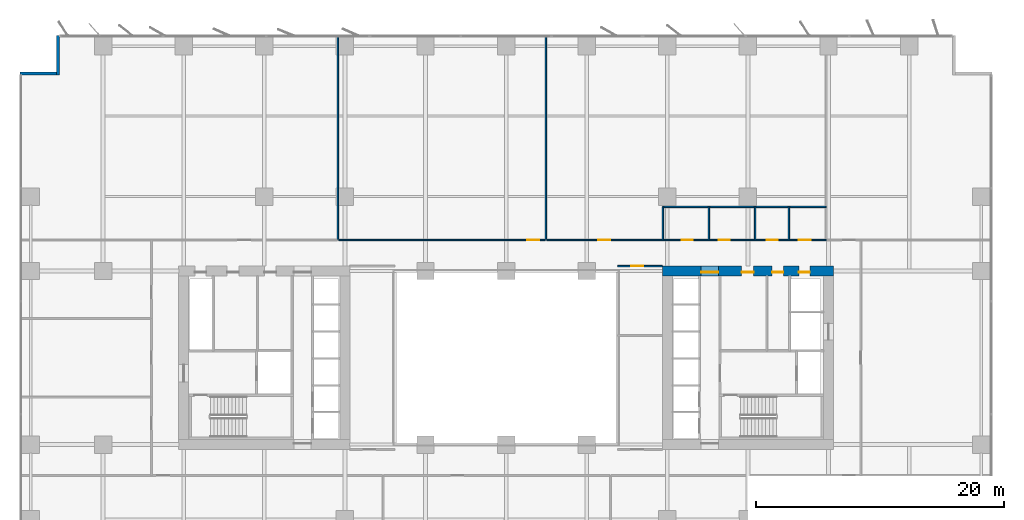
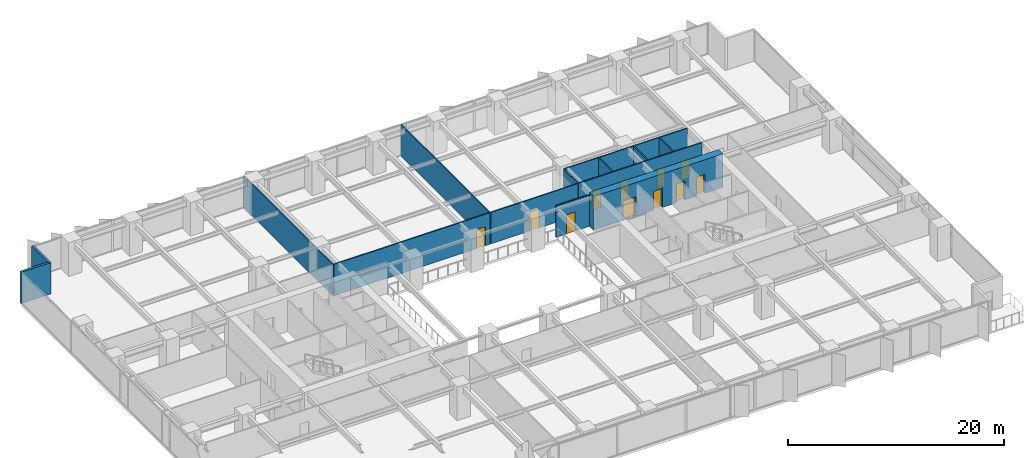
# One storey, part 15 of 20: 14 walls, 11 doors, 11 openings.
"""IFC4 building model written with IfcOpenShell, lengths in metres."""

import ifcopenshell
import ifcopenshell.guid

model = None  # the IFC model being written
_history = None  # IfcOwnerHistory: only IFC2X3 demands one
_inside = {}  # id of a spatial element -> (the spatial element, [elements in it])
_under = {}  # id of a project, library or spatial element -> (it, [spatial elements below it])
_declared = {}  # id of a project -> (the project, [libraries it declares])
_typed = {}  # id of a type object -> (the type object, [elements of that type])
_made_of = {}  # id of a material, layer set ... -> (it, [elements and type objects made of it])


def new_model(schema):
    """Start an empty IFC model of exactly this schema.

    Asked for "IFC4X3", IfcOpenShell would pick the latest addendum, in which some entities
    have other attributes; the version numbers below select the first issue.
    IFC2X3 requires an IfcOwnerHistory on every rooted entity: one is made here for all.
    """
    global model, _history
    if schema == "IFC4X3":
        model = ifcopenshell.file(schema_version=(4, 3, 0, 0))
    else:
        model = ifcopenshell.file(schema=schema)
    _inside.clear()
    _under.clear()
    _declared.clear()
    _typed.clear()
    _made_of.clear()
    _history = None
    if model.schema == "IFC2X3":
        org = make("IfcOrganization", Name="unknown")
        user = make(
            "IfcPersonAndOrganization",
            ThePerson=make("IfcPerson", FamilyName="unknown"),
            TheOrganization=org,
        )
        app = make(
            "IfcApplication",
            ApplicationDeveloper=org,
            Version="unknown",
            ApplicationFullName="unknown",
            ApplicationIdentifier="unknown",
        )
        _history = make(
            "IfcOwnerHistory",
            OwningUser=user,
            OwningApplication=app,
            ChangeAction="ADDED",
            CreationDate=0,
        )
    return model


def make(cls, **values):
    """One entity of the class cls with the attributes given. An attribute that is None is left unset."""
    return model.create_entity(
        cls, **{name: value for name, value in values.items() if value is not None}
    )


def rooted(cls, **values):
    """An entity with a GlobalId (a new one), such as an element, a storey or a relation."""
    return make(cls, GlobalId=ifcopenshell.guid.new(), OwnerHistory=_history, **values)


def si_unit(unit_type, name, prefix=None):
    """IfcSIUnit, for example si_unit("LENGTHUNIT", "METRE", prefix="MILLI")."""
    return make("IfcSIUnit", UnitType=unit_type, Prefix=prefix, Name=name)


def assignment(units):
    """IfcUnitAssignment: the units of a project."""
    return None if units is None else make("IfcUnitAssignment", Units=units)


def point(xyz):
    """IfcCartesianPoint."""
    return None if xyz is None else make("IfcCartesianPoint", Coordinates=xyz)


def direction(xyz):
    """IfcDirection."""
    return None if xyz is None else make("IfcDirection", DirectionRatios=xyz)


def frame(location, z_axis=None, x_axis=None):
    """IfcAxis2Placement3D, a coordinate frame: its origin and axes. An axis left out is left unset."""
    return make(
        "IfcAxis2Placement3D",
        Location=point(location),
        Axis=direction(z_axis),
        RefDirection=direction(x_axis),
    )


def frame_2d(location, x_axis=None):
    """IfcAxis2Placement2D, a coordinate frame in the plane: its origin and x axis."""
    return make(
        "IfcAxis2Placement2D", Location=point(location), RefDirection=direction(x_axis)
    )


def origin():
    """The frame at (0, 0, 0) with its axes left unset."""
    return frame((0.0, 0.0, 0.0))


def place(relative_to, where):
    """IfcLocalPlacement: puts the frame where relative to a parent placement (None: the world)."""
    return make(
        "IfcLocalPlacement", PlacementRelTo=relative_to, RelativePlacement=where
    )


def context(
    kind, dimensions, precision=None, world=None, true_north=None, identifier=None
):
    """IfcGeometricRepresentationContext, for example the 3D "Model" context."""
    return make(
        "IfcGeometricRepresentationContext",
        ContextIdentifier=identifier,
        ContextType=kind,
        CoordinateSpaceDimension=dimensions,
        Precision=precision,
        WorldCoordinateSystem=world,
        TrueNorth=true_north,
    )


def subcontext(parent, identifier, kind, view, scale=None):
    """IfcGeometricRepresentationSubContext, for example "Body" below "Model"."""
    return make(
        "IfcGeometricRepresentationSubContext",
        ContextIdentifier=identifier,
        ContextType=kind,
        ParentContext=parent,
        TargetScale=scale,
        TargetView=view,
    )


def project(units=None, contexts=None):
    """IfcProject with its units and contexts."""
    return rooted(
        "IfcProject",
        Name="project",
        RepresentationContexts=contexts,
        UnitsInContext=assignment(units),
    )


def spatial(cls, under=None, at=None, **own):
    """A site, building, storey or space (cls), placed at a placement, below another one or the project."""
    s = rooted(cls, ObjectPlacement=at, **own)
    if under is not None:
        _under.setdefault(under.id(), (under, []))[1].append(s)
    return s


def profile(cls, at=None, kind="AREA", **sizes):
    """A parametric profile (cls). Its sizes go by their IFC names, for example OverallWidth=200.0."""
    return make(cls, ProfileType=kind, Position=at, **sizes)


def rectangle(**sizes):
    """IfcRectangleProfileDef."""
    return profile("IfcRectangleProfileDef", **sizes)


def extrude(swept, where, along, depth):
    """IfcExtrudedAreaSolid: the profile swept, set in the frame where, extruded along a direction by depth."""
    return make(
        "IfcExtrudedAreaSolid",
        SweptArea=swept,
        Position=where,
        ExtrudedDirection=direction(along),
        Depth=depth,
    )


def shape(context_of_items, identifier, shape_type, items):
    """IfcShapeRepresentation: the items that make up one representation, for example the "Body"."""
    return make(
        "IfcShapeRepresentation",
        ContextOfItems=context_of_items,
        RepresentationIdentifier=identifier,
        RepresentationType=shape_type,
        Items=items,
    )


def material(Name=None, Category=None):
    """IfcMaterial."""
    return make("IfcMaterial", Name=Name, Category=Category)


def layer(
    of_material, thickness, ventilated=None, Name=None, Category=None, Priority=None
):
    """IfcMaterialLayer: one layer of a wall or slab, of a material (None: an air gap)."""
    return make(
        "IfcMaterialLayer",
        Material=of_material,
        LayerThickness=thickness,
        IsVentilated=ventilated,
        Name=Name,
        Category=Category,
        Priority=Priority,
    )


def layer_set(layers, Name=None):
    """IfcMaterialLayerSet."""
    return make("IfcMaterialLayerSet", MaterialLayers=layers, LayerSetName=Name)


def made_of(thing, what):
    """Note that an element or type object is made of a material, layer set ...; save() writes the relation."""
    if what is not None:
        _made_of.setdefault(what.id(), (what, []))[1].append(thing)
    return thing


def type_object(cls, material=None, **own):
    """A type object (cls), such as IfcWallType, which elements share."""
    return made_of(rooted(cls, **own), material)


def element(
    cls,
    number,
    at=None,
    inside=None,
    cuts=None,
    type_object=None,
    material=None,
    context=None,
    identifier="Body",
    shape_type=None,
    held_by="IfcProductDefinitionShape",
    body=None,
    shapes=None,
    **own,
):
    """One element of the class cls, such as IfcWall. Its Tag is "e" and its number.

    at: its placement. inside: the storey or other place that contains it. cuts: it is an
    opening in that element (IfcRelVoidsElement). A single representation is given by context,
    identifier, shape_type and body (its items); several are given by shapes. held_by: the class
    of the entity that holds the representations. save() writes the other relations.
    """
    e = rooted(cls, Tag="e%d" % number, ObjectPlacement=at, **own)
    if body is not None:
        shapes = [shape(context, identifier, shape_type, body)]
    if shapes is not None:
        e.Representation = make(held_by, Representations=shapes)
    if inside is not None:
        _inside.setdefault(inside.id(), (inside, []))[1].append(e)
    if cuts is not None:
        rooted(
            "IfcRelVoidsElement", RelatingBuildingElement=cuts, RelatedOpeningElement=e
        )
    if type_object is not None:
        _typed.setdefault(type_object.id(), (type_object, []))[1].append(e)
    return made_of(e, material)


def fill(opening, filler):
    """IfcRelFillsElement: the door or window that sits in an opening."""
    return rooted(
        "IfcRelFillsElement",
        RelatingOpeningElement=opening,
        RelatedBuildingElement=filler,
    )


def aggregate(whole, parts):
    """IfcRelAggregates: a whole, such as a stair, and the parts it consists of."""
    return rooted("IfcRelAggregates", RelatingObject=whole, RelatedObjects=parts)


def save(model, path):
    """Write the relations noted so far, then the file.

    IfcRelAggregates (storeys below a building ...), IfcRelContainedInSpatialStructure (elements
    in a storey), IfcRelDefinesByType, IfcRelAssociatesMaterial and IfcRelDeclares: one each for
    every whole, place, type object, material and project.
    """
    for whole, parts in _under.values():
        aggregate(whole, parts)
    for where, things in _inside.values():
        rooted(
            "IfcRelContainedInSpatialStructure",
            RelatedElements=things,
            RelatingStructure=where,
        )
    for kind, things in _typed.values():
        rooted("IfcRelDefinesByType", RelatedObjects=things, RelatingType=kind)
    for what, things in _made_of.values():
        rooted("IfcRelAssociatesMaterial", RelatedObjects=things, RelatingMaterial=what)
    for by, libraries in _declared.values():
        rooted("IfcRelDeclares", RelatingContext=by, RelatedDefinitions=libraries)
    model.write(path)


model = new_model("IFC4")

# Units and contexts
model_context = context("Model", 3, precision=1e-05, world=origin(), true_north=direction((0.0, 1.0)))
body_context = subcontext(model_context, "Body", "Model", "MODEL_VIEW")
ifc_project = project(units=[si_unit("LENGTHUNIT", "METRE"), si_unit("AREAUNIT", "SQUARE_METRE"), si_unit("VOLUMEUNIT", "CUBIC_METRE"), si_unit("PLANEANGLEUNIT", "RADIAN"), si_unit("MASSUNIT", "GRAM", prefix="KILO")], contexts=[model_context])

# Site, building, storey
site_placement = place(None, origin())
site = spatial("IfcSite", under=ifc_project, at=site_placement, CompositionType="ELEMENT")
building_placement = place(site_placement, origin())
building = spatial("IfcBuilding", under=site, at=building_placement, Name="Putna Gate Headquarters", CompositionType="ELEMENT")
storey_placement = place(building_placement, frame((0.0, 0.0, 50.60009765625)))
storey = spatial("IfcBuildingStorey", under=building, at=storey_placement, Name="L11", CompositionType="ELEMENT", Elevation=50.60009765625)

# Wall, openings, doors
ifc_material_1 = material(Name="Concrete C60/75", Category="concrete")
ifc_layer_1 = layer(ifc_material_1, 0.800048828125)
ifc_layer_set_1 = layer_set([ifc_layer_1], Name="Concrete C60/75")
wall_type_1 = type_object("IfcWallType", Name="WALL-CORE-800", PredefinedType="SHEAR", material=ifc_layer_set_1)
wall_1_placement = place(storey_placement, frame((51.60009765625, 33.0, 0.0), z_axis=(0.0, 0.0, 1.0), x_axis=(1.0, 0.0, 0.0)))
wall_1 = element("IfcWall", 1, at=wall_1_placement, inside=storey, type_object=wall_type_1, Name="L11 EC Split Core Shear Wall N", PredefinedType="SHEAR", context=body_context, shape_type="SweptSolid", body=[
    extrude(rectangle(XDim=13.7998046875, YDim=0.800048828125, at=frame_2d((6.89990234375, 0.0))), origin(), (0.0, 0.0, 1.0), 3.7998046875),
])
opening_1_placement = place(wall_1_placement, frame((3.1201171875, 0.0, 0.0)))
opening_1 = element("IfcOpeningElement", 2, at=opening_1_placement, cuts=wall_1, Name="Opening FDD-140", PredefinedType="OPENING", context=body_context, shape_type="SweptSolid", body=[
    extrude(rectangle(XDim=1.39990234375, YDim=2.199951171875, at=frame_2d((0.699951171875, 1.10009765625))), frame((0.0, 0.409912109375, 0.0), z_axis=(0.0, -1.0, 0.0), x_axis=(1.0, 0.0, 0.0)), (0.0, 0.0, 1.0), 0.820068359375),
])
opening_2_placement = place(wall_1_placement, frame((11.0, 0.0, 0.0)))
opening_2 = element("IfcOpeningElement", 3, at=opening_2_placement, cuts=wall_1, Name="Opening RD-90", PredefinedType="OPENING", context=body_context, shape_type="SweptSolid", body=[
    extrude(rectangle(XDim=0.89990234375, YDim=2.14990234375, at=frame_2d((0.449951171875, 1.074951171875))), frame((0.0, 0.409912109375, 0.0), z_axis=(0.0, -1.0, 0.0), x_axis=(1.0, 0.0, 0.0)), (0.0, 0.0, 1.0), 0.820068359375),
])
opening_3_placement = place(wall_1_placement, frame((6.39990234375, 0.0, 0.0)))
opening_3 = element("IfcOpeningElement", 4, at=opening_3_placement, cuts=wall_1, Name="Opening IDS-95", PredefinedType="OPENING", context=body_context, shape_type="SweptSolid", body=[
    extrude(rectangle(XDim=0.949951171875, YDim=2.14990234375, at=frame_2d((0.47509765625, 1.074951171875))), frame((0.0, 0.409912109375, 0.0), z_axis=(0.0, -1.0, 0.0), x_axis=(1.0, 0.0, 0.0)), (0.0, 0.0, 1.0), 0.820068359375),
])
opening_4_placement = place(wall_1_placement, frame((8.85009765625, 0.0, 0.0)))
opening_4 = element("IfcOpeningElement", 5, at=opening_4_placement, cuts=wall_1, Name="Opening IDS-90", PredefinedType="OPENING", context=body_context, shape_type="SweptSolid", body=[
    extrude(rectangle(XDim=0.89990234375, YDim=2.14990234375, at=frame_2d((0.449951171875, 1.074951171875))), frame((0.0, 0.409912109375, 0.0), z_axis=(0.0, -1.0, 0.0), x_axis=(1.0, 0.0, 0.0)), (0.0, 0.0, 1.0), 0.820068359375),
])
ifc_material_2 = material(Name="Double steel fire door", Category="steel")
door_type_1 = type_object("IfcDoorType", Name="DOOR-FIRE-DBL-1400", OperationType="DOUBLE_DOOR_SINGLE_SWING", PredefinedType="DOOR", material=ifc_material_2)
door_1_placement = place(opening_1_placement, origin())
door_1 = element("IfcDoor", 6, at=door_1_placement, inside=storey, type_object=door_type_1, Name="L11 East Lift Lobby North Door", OperationType="DOUBLE_DOOR_SINGLE_SWING", OverallHeight=2.199951171875, OverallWidth=1.39990234375, PredefinedType="DOOR", context=body_context, shape_type="SweptSolid", body=[
    extrude(rectangle(XDim=1.39990234375, YDim=2.199951171875, at=frame_2d((0.699951171875, 1.10009765625))), frame((0.0, -0.0751953125, 0.0), z_axis=(0.0, -1.0, 0.0), x_axis=(1.0, 0.0, 0.0)), (0.0, 0.0, 1.0), 0.050048828125),
])
fill(opening_1, door_1)
ifc_material_3 = material(Name="Fire-rated utility door")
door_type_2 = type_object("IfcDoorType", Name="DOOR-INT-900", OperationType="NOTDEFINED", PredefinedType="DOOR", material=ifc_material_3)
door_2_placement = place(opening_4_placement, origin())
door_2 = element("IfcDoor", 7, at=door_2_placement, inside=storey, type_object=door_type_2, Name="L11 Electrical Plant Door", OperationType="SINGLE_SWING_LEFT", OverallHeight=2.14990234375, OverallWidth=0.89990234375, PredefinedType="DOOR", context=body_context, shape_type="SweptSolid", body=[
    extrude(rectangle(XDim=0.89990234375, YDim=2.14990234375, at=frame_2d((0.449951171875, 1.074951171875))), frame((0.0, -0.0751953125, 0.0), z_axis=(0.0, -1.0, 0.0), x_axis=(1.0, 0.0, 0.0)), (0.0, 0.0, 1.0), 0.050048828125),
])
fill(opening_4, door_2)
ifc_material_4 = material(Name="Fire-rated service timber door", Category="wood")
door_type_3 = type_object("IfcDoorType", Name="DOOR-INT-950", OperationType="NOTDEFINED", PredefinedType="DOOR", material=ifc_material_4)
door_3_placement = place(opening_3_placement, origin())
door_3 = element("IfcDoor", 8, at=door_3_placement, inside=storey, type_object=door_type_3, Name="L11 East Store Door", OperationType="SINGLE_SWING_RIGHT", OverallHeight=2.14990234375, OverallWidth=0.949951171875, PredefinedType="DOOR", context=body_context, shape_type="SweptSolid", body=[
    extrude(rectangle(XDim=0.949951171875, YDim=2.14990234375, at=frame_2d((0.47509765625, 1.074951171875))), frame((0.0, -0.0751953125, 0.0), z_axis=(0.0, -1.0, 0.0), x_axis=(1.0, 0.0, 0.0)), (0.0, 0.0, 1.0), 0.050048828125),
])
fill(opening_3, door_3)
ifc_material_5 = material(Name="Steel riser access fire door", Category="steel")
door_type_4 = type_object("IfcDoorType", Name="DOOR-RISER-900", OperationType="NOTDEFINED", PredefinedType="DOOR", material=ifc_material_5)
door_4_placement = place(opening_2_placement, origin())
door_4 = element("IfcDoor", 9, at=door_4_placement, inside=storey, type_object=door_type_4, Name="L11 East Riser Access Door", OperationType="SINGLE_SWING_LEFT", OverallHeight=2.14990234375, OverallWidth=0.89990234375, PredefinedType="DOOR", context=body_context, shape_type="SweptSolid", body=[
    extrude(rectangle(XDim=0.89990234375, YDim=2.14990234375, at=frame_2d((0.449951171875, 1.074951171875))), frame((0.0, -0.0751953125, 0.0), z_axis=(0.0, -1.0, 0.0), x_axis=(1.0, 0.0, 0.0)), (0.0, 0.0, 1.0), 0.050048828125),
])
fill(opening_2, door_4)

# Walls
ifc_material_6 = material(Name="Precast concrete C40/50", Category="concrete")
ifc_layer_2 = layer(ifc_material_6, 0.239990234375)
ifc_layer_set_2 = layer_set([ifc_layer_2], Name="Precast concrete C40/50")
wall_type_2 = type_object("IfcWallType", Name="WALL-EXT-TERR-240", PredefinedType="STANDARD", material=ifc_layer_set_2)
for number, where, z_axis, x_axis, name in (
    (10, (2.8798828125, 48.800048828125, 0.0), (0.0, 0.0, 1.0), (0.0, 1.0, 0.0), "L11 Corner Notch Return Wall NW-V"),
    (11, (-0.199951171875, 48.919921875, 0.0), (0.0, 0.0, 1.0), (1.0, 0.0, 0.0), "L11 Corner Notch Return Wall NW-H"),
):
    element("IfcWall", number, at=place(storey_placement, frame(where, z_axis=z_axis, x_axis=x_axis)), inside=storey, type_object=wall_type_2, Name=name, PredefinedType="STANDARD", context=body_context, shape_type="SweptSolid", body=[
        extrude(rectangle(XDim=3.199951171875, YDim=0.239990234375, at=frame_2d((1.60009765625, 0.0))), origin(), (0.0, 0.0, 1.0), 3.5498046875),
    ])

# Wall, opening, door
ifc_material_7 = material(Name="Acoustic gypsum board on metal stud")
ifc_layer_3 = layer(ifc_material_7, 0.1201171875)
ifc_layer_set_3 = layer_set([ifc_layer_3], Name="Acoustic gypsum board on metal stud")
wall_type_3 = type_object("IfcWallType", Name="WALL-PART-120", PredefinedType="PARTITIONING", material=ifc_layer_set_3)
wall_2_placement = place(storey_placement, frame((48.0, 33.39990234375, 0.0), z_axis=(0.0, 0.0, 1.0), x_axis=(1.0, 0.0, 0.0)))
wall_2 = element("IfcWall", 12, at=wall_2_placement, inside=storey, type_object=wall_type_3, Name="L11 Interior Wall PART-L11-ATR-E-N", PredefinedType="PARTITIONING", context=body_context, shape_type="SweptSolid", body=[
    extrude(rectangle(XDim=3.60009765625, YDim=0.1201171875, at=frame_2d((1.800048828125, 0.0))), origin(), (0.0, 0.0, 1.0), 3.5498046875),
])
opening_5_placement = place(wall_2_placement, frame((1.10009765625, 0.0, 0.0)))
opening_5 = element("IfcOpeningElement", 13, at=opening_5_placement, cuts=wall_2, Name="Opening ID-95", PredefinedType="OPENING", context=body_context, shape_type="SweptSolid", body=[
    extrude(rectangle(XDim=0.949951171875, YDim=2.14990234375, at=frame_2d((0.47509765625, 1.074951171875))), frame((0.0, 0.070068359375, 0.0), z_axis=(0.0, -1.0, 0.0), x_axis=(1.0, 0.0, 0.0)), (0.0, 0.0, 1.0), 0.14013671875),
])
ifc_material_8 = material(Name="Veneered acoustic timber door", Category="wood")
door_type_5 = type_object("IfcDoorType", Name="DOOR-OFF-950", OperationType="NOTDEFINED", PredefinedType="DOOR", material=ifc_material_8)
door_5_placement = place(opening_5_placement, origin())
door_5 = element("IfcDoor", 14, at=door_5_placement, inside=storey, type_object=door_type_5, Name="L11 East Atrium North Gallery Door", OperationType="SINGLE_SWING_LEFT", OverallHeight=2.14990234375, OverallWidth=0.949951171875, PredefinedType="DOOR", context=body_context, shape_type="SweptSolid", body=[
    extrude(rectangle(XDim=0.949951171875, YDim=2.14990234375, at=frame_2d((0.47509765625, 1.074951171875))), frame((0.0, 0.02490234375, 0.0), z_axis=(0.0, -1.0, 0.0), x_axis=(1.0, 0.0, 0.0)), (0.0, 0.0, 1.0), 0.050048828125),
])
fill(opening_5, door_5)

# Walls
for number, where, z_axis, x_axis, name in (
    (15, (25.436279296875, 35.56005859375, 0.0), (0.0, 0.0, 1.0), (0.0, 1.0, 0.0), "L11 Interior Wall PART-L11-NB-DIV-01"),
    (16, (42.199951171875, 35.56005859375, 0.0), (0.0, 0.0, 1.0), (0.0, 1.0, 0.0), "L11 Interior Wall PART-L11-NB-DIV-02"),
):
    element("IfcWall", number, at=place(storey_placement, frame(where, z_axis=z_axis, x_axis=x_axis)), inside=storey, type_object=wall_type_3, Name=name, PredefinedType="PARTITIONING", context=body_context, shape_type="SweptSolid", body=[
        extrude(rectangle(XDim=16.419921875, YDim=0.1201171875, at=frame_2d((8.2099609375, 0.0))), origin(), (0.0, 0.0, 1.0), 3.5498046875),
    ])

# Wall, openings, doors
ifc_material_9 = material(Name="Fire-rated gypsum board on metal stud")
ifc_layer_4 = layer(ifc_material_9, 0.1201171875)
ifc_layer_set_4 = layer_set([ifc_layer_4], Name="Fire-rated gypsum board on metal stud")
wall_type_4 = type_object("IfcWallType", Name="WALL-PART-120-RATED", PredefinedType="PARTITIONING", material=ifc_layer_set_4)
wall_3_placement = place(storey_placement, frame((51.639892578125, 35.5, 0.0), z_axis=(0.0, 0.0, 1.0), x_axis=(1.0, 0.0, 0.0)))
wall_3 = element("IfcWall", 17, at=wall_3_placement, inside=storey, type_object=wall_type_4, Name="L11 Interior Wall PART-L11-SAN-CW", PredefinedType="PARTITIONING", context=body_context, shape_type="SweptSolid", body=[
    extrude(rectangle(XDim=13.16015625, YDim=0.1201171875, at=frame_2d((6.580078125, 0.0))), origin(), (0.0, 0.0, 1.0), 3.5498046875),
])
opening_6_placement = place(wall_3_placement, frame((1.510009765625, 0.0, 0.0)))
opening_6 = element("IfcOpeningElement", 18, at=opening_6_placement, cuts=wall_3, Name="Opening FD-90", PredefinedType="OPENING", context=body_context, shape_type="SweptSolid", body=[
    extrude(rectangle(XDim=0.89990234375, YDim=2.14990234375, at=frame_2d((0.449951171875, 1.074951171875))), frame((0.0, 0.070068359375, 0.0), z_axis=(0.0, -1.0, 0.0), x_axis=(1.0, 0.0, 0.0)), (0.0, 0.0, 1.0), 0.14013671875),
])
opening_7_placement = place(wall_3_placement, frame((4.510009765625, 0.0, 0.0)))
opening_7 = element("IfcOpeningElement", 19, at=opening_7_placement, cuts=wall_3, Name="Opening FD-90", PredefinedType="OPENING", context=body_context, shape_type="SweptSolid", body=[
    extrude(rectangle(XDim=0.89990234375, YDim=2.14990234375, at=frame_2d((0.449951171875, 1.074951171875))), frame((0.0, 0.070068359375, 0.0), z_axis=(0.0, -1.0, 0.0), x_axis=(1.0, 0.0, 0.0)), (0.0, 0.0, 1.0), 0.14013671875),
])
opening_8_placement = place(wall_3_placement, frame((8.360107421875, 0.0, 0.0)))
opening_8 = element("IfcOpeningElement", 20, at=opening_8_placement, cuts=wall_3, Name="Opening FD-90", PredefinedType="OPENING", context=body_context, shape_type="SweptSolid", body=[
    extrude(rectangle(XDim=0.89990234375, YDim=2.14990234375, at=frame_2d((0.449951171875, 1.074951171875))), frame((0.0, 0.070068359375, 0.0), z_axis=(0.0, -1.0, 0.0), x_axis=(1.0, 0.0, 0.0)), (0.0, 0.0, 1.0), 0.14013671875),
])
opening_9_placement = place(wall_3_placement, frame((10.9599609375, 0.0, 0.0)))
opening_9 = element("IfcOpeningElement", 21, at=opening_9_placement, cuts=wall_3, Name="Opening FD-95", PredefinedType="OPENING", context=body_context, shape_type="SweptSolid", body=[
    extrude(rectangle(XDim=0.949951171875, YDim=2.14990234375, at=frame_2d((0.47509765625, 1.074951171875))), frame((0.0, 0.070068359375, 0.0), z_axis=(0.0, -1.0, 0.0), x_axis=(1.0, 0.0, 0.0)), (0.0, 0.0, 1.0), 0.14013671875),
])
ifc_material_10 = material(Name="Acoustic washroom fire door")
door_type_6 = type_object("IfcDoorType", Name="DOOR-FIRE-900", OperationType="NOTDEFINED", PredefinedType="DOOR", material=ifc_material_10)
door_6_placement = place(opening_6_placement, origin())
door_6 = element("IfcDoor", 22, at=door_6_placement, inside=storey, type_object=door_type_6, Name="L11 Washroom Male Door", OperationType="SINGLE_SWING_RIGHT", OverallHeight=2.14990234375, OverallWidth=0.89990234375, PredefinedType="DOOR", context=body_context, shape_type="SweptSolid", body=[
    extrude(rectangle(XDim=0.89990234375, YDim=2.14990234375, at=frame_2d((0.449951171875, 1.074951171875))), frame((0.0, 0.02490234375, 0.0), z_axis=(0.0, -1.0, 0.0), x_axis=(1.0, 0.0, 0.0)), (0.0, 0.0, 1.0), 0.050048828125),
])
fill(opening_6, door_6)
door_7_placement = place(opening_7_placement, origin())
door_7 = element("IfcDoor", 23, at=door_7_placement, inside=storey, type_object=door_type_6, Name="L11 Washroom Female Door", OperationType="SINGLE_SWING_LEFT", OverallHeight=2.14990234375, OverallWidth=0.89990234375, PredefinedType="DOOR", context=body_context, shape_type="SweptSolid", body=[
    extrude(rectangle(XDim=0.89990234375, YDim=2.14990234375, at=frame_2d((0.449951171875, 1.074951171875))), frame((0.0, 0.02490234375, 0.0), z_axis=(0.0, -1.0, 0.0), x_axis=(1.0, 0.0, 0.0)), (0.0, 0.0, 1.0), 0.050048828125),
])
fill(opening_7, door_7)
door_8_placement = place(opening_8_placement, origin())
door_8 = element("IfcDoor", 24, at=door_8_placement, inside=storey, type_object=door_type_6, Name="L11 Accessible WC Door", OperationType="SINGLE_SWING_RIGHT", OverallHeight=2.14990234375, OverallWidth=0.89990234375, PredefinedType="DOOR", context=body_context, shape_type="SweptSolid", body=[
    extrude(rectangle(XDim=0.89990234375, YDim=2.14990234375, at=frame_2d((0.449951171875, 1.074951171875))), frame((0.0, 0.02490234375, 0.0), z_axis=(0.0, -1.0, 0.0), x_axis=(1.0, 0.0, 0.0)), (0.0, 0.0, 1.0), 0.050048828125),
])
fill(opening_8, door_8)
ifc_material_11 = material(Name="Acoustic timber fire door", Category="wood")
door_type_7 = type_object("IfcDoorType", Name="DOOR-FIRE-950", OperationType="NOTDEFINED", PredefinedType="DOOR", material=ifc_material_11)
door_9_placement = place(opening_9_placement, origin())
door_9 = element("IfcDoor", 25, at=door_9_placement, inside=storey, type_object=door_type_7, Name="L11 Staff Pantry and Tea Point Door", OperationType="SINGLE_SWING_LEFT", OverallHeight=2.14990234375, OverallWidth=0.949951171875, PredefinedType="DOOR", context=body_context, shape_type="SweptSolid", body=[
    extrude(rectangle(XDim=0.949951171875, YDim=2.14990234375, at=frame_2d((0.47509765625, 1.074951171875))), frame((0.0, 0.02490234375, 0.0), z_axis=(0.0, -1.0, 0.0), x_axis=(1.0, 0.0, 0.0)), (0.0, 0.0, 1.0), 0.050048828125),
])
fill(opening_9, door_9)

# Walls
wall_4_placement = place(storey_placement, frame((51.639892578125, 38.179931640625, 0.0), z_axis=(0.0, 0.0, 1.0), x_axis=(1.0, 0.0, 0.0)))
element("IfcWall", 26, at=wall_4_placement, inside=storey, type_object=wall_type_4, Name="L11 Interior Wall PART-L11-SAN-BACK", PredefinedType="PARTITIONING", context=body_context, shape_type="SweptSolid", body=[
    extrude(rectangle(XDim=13.16015625, YDim=0.1201171875, at=frame_2d((6.580078125, 0.0))), origin(), (0.0, 0.0, 1.0), 3.5498046875),
])
for number, where, z_axis, x_axis, name in (
    (27, (51.639892578125, 35.5, 0.0), (0.0, 0.0, 1.0), (0.0, 1.0, 0.0), "L11 Interior Wall PART-L11-SAN-DIV-1"),
    (28, (55.360107421875, 35.5, 0.0), (0.0, 0.0, 1.0), (0.0, 1.0, 0.0), "L11 Interior Wall PART-L11-SAN-DIV-2"),
    (29, (59.080078125, 35.5, 0.0), (0.0, 0.0, 1.0), (0.0, 1.0, 0.0), "L11 Interior Wall PART-L11-SAN-DIV-3"),
    (30, (61.800048828125, 35.5, 0.0), (0.0, 0.0, 1.0), (0.0, 1.0, 0.0), "L11 Interior Wall PART-L11-SAN-DIV-4"),
):
    element("IfcWall", number, at=place(storey_placement, frame(where, z_axis=z_axis, x_axis=x_axis)), inside=storey, type_object=wall_type_4, Name=name, PredefinedType="PARTITIONING", context=body_context, shape_type="SweptSolid", body=[
        extrude(rectangle(XDim=2.679931640625, YDim=0.1201171875, at=frame_2d((1.33984375, 0.0))), origin(), (0.0, 0.0, 1.0), 3.5498046875),
    ])

# Wall, opening, door
wall_5_placement = place(storey_placement, frame((25.49609375, 35.5, 0.0), z_axis=(0.0, 0.0, 1.0), x_axis=(1.0, 0.0, 0.0)))
wall_5 = element("IfcWall", 31, at=wall_5_placement, inside=storey, type_object=wall_type_4, Name="L11 Interior Wall PART-L11-NB-CW-02", PredefinedType="PARTITIONING", context=body_context, shape_type="SweptSolid", body=[
    extrude(rectangle(XDim=16.643798828125, YDim=0.1201171875, at=frame_2d((8.32177734375, 0.0))), origin(), (0.0, 0.0, 1.0), 3.5498046875),
])
opening_10_placement = place(wall_5_placement, frame((15.2138671875, 0.0, 0.0)))
opening_10 = element("IfcOpeningElement", 32, at=opening_10_placement, cuts=wall_5, Name="Opening FD-95", PredefinedType="OPENING", context=body_context, shape_type="SweptSolid", body=[
    extrude(rectangle(XDim=0.949951171875, YDim=2.14990234375, at=frame_2d((0.47509765625, 1.074951171875))), frame((0.0, 0.070068359375, 0.0), z_axis=(0.0, -1.0, 0.0), x_axis=(1.0, 0.0, 0.0)), (0.0, 0.0, 1.0), 0.14013671875),
])
door_10_placement = place(opening_10_placement, origin())
door_10 = element("IfcDoor", 33, at=door_10_placement, inside=storey, type_object=door_type_7, Name="L11 Collaborative Breakout Lounge 1 Door", OperationType="SINGLE_SWING_LEFT", OverallHeight=2.14990234375, OverallWidth=0.949951171875, PredefinedType="DOOR", context=body_context, shape_type="SweptSolid", body=[
    extrude(rectangle(XDim=0.949951171875, YDim=2.14990234375, at=frame_2d((0.47509765625, 1.074951171875))), frame((0.0, 0.02490234375, 0.0), z_axis=(0.0, -1.0, 0.0), x_axis=(1.0, 0.0, 0.0)), (0.0, 0.0, 1.0), 0.050048828125),
])
fill(opening_10, door_10)

wall_6_placement = place(storey_placement, frame((42.260009765625, 35.5, 0.0), z_axis=(0.0, 0.0, 1.0), x_axis=(1.0, 0.0, 0.0)))
wall_6 = element("IfcWall", 34, at=wall_6_placement, inside=storey, type_object=wall_type_4, Name="L11 Interior Wall PART-L11-NB-CW-03", PredefinedType="PARTITIONING", context=body_context, shape_type="SweptSolid", body=[
    extrude(rectangle(XDim=9.320068359375, YDim=0.1201171875, at=frame_2d((4.66015625, 0.0))), origin(), (0.0, 0.0, 1.0), 3.5498046875),
])
opening_11_placement = place(wall_6_placement, frame((4.18505859375, 0.0, 0.0)))
opening_11 = element("IfcOpeningElement", 35, at=opening_11_placement, cuts=wall_6, Name="Opening FD-95", PredefinedType="OPENING", context=body_context, shape_type="SweptSolid", body=[
    extrude(rectangle(XDim=0.949951171875, YDim=2.14990234375, at=frame_2d((0.47509765625, 1.074951171875))), frame((0.0, 0.070068359375, 0.0), z_axis=(0.0, -1.0, 0.0), x_axis=(1.0, 0.0, 0.0)), (0.0, 0.0, 1.0), 0.14013671875),
])
door_11_placement = place(opening_11_placement, origin())
door_11 = element("IfcDoor", 36, at=door_11_placement, inside=storey, type_object=door_type_7, Name="L11 Primary Open Office Workplace Door", OperationType="SINGLE_SWING_RIGHT", OverallHeight=2.14990234375, OverallWidth=0.949951171875, PredefinedType="DOOR", context=body_context, shape_type="SweptSolid", body=[
    extrude(rectangle(XDim=0.949951171875, YDim=2.14990234375, at=frame_2d((0.47509765625, 1.074951171875))), frame((0.0, 0.02490234375, 0.0), z_axis=(0.0, -1.0, 0.0), x_axis=(1.0, 0.0, 0.0)), (0.0, 0.0, 1.0), 0.050048828125),
])
fill(opening_11, door_11)

save(model, "model.ifc")
